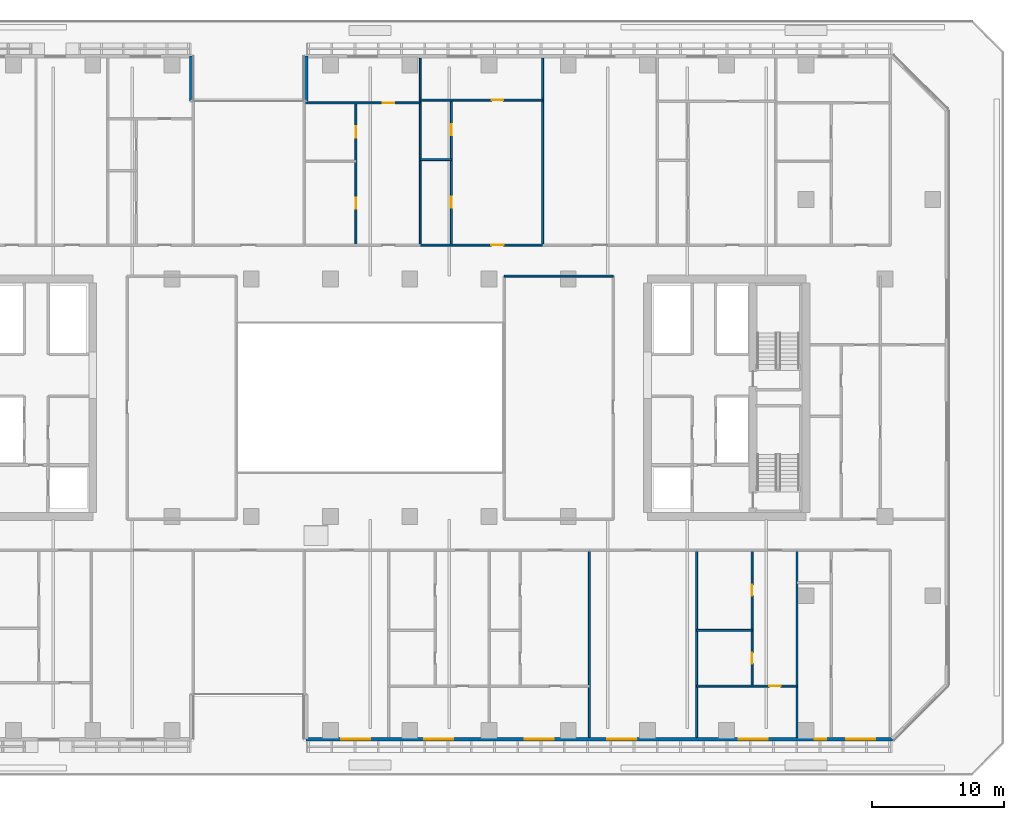
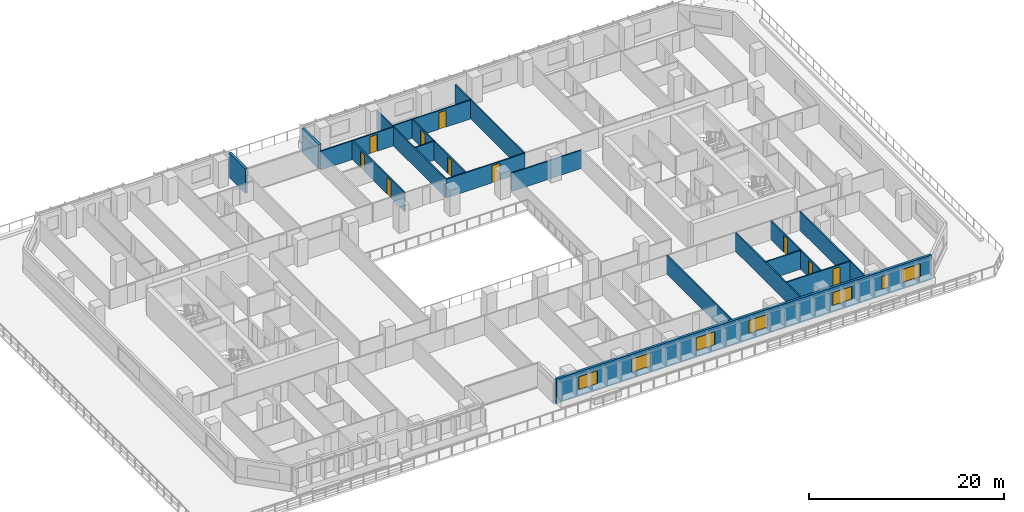
# One storey, part 9 of 23: 18 walls, 10 doors, 7 windows, 17 openings.
"""IFC4 building model written with IfcOpenShell, lengths in metres."""

from ifc_helpers import new_model, si_unit, direction, frame, frame_2d, origin, place, context, subcontext, project, spatial, rectangle, extrude, material, layer, layer_set, type_object, element, fill, save


model = new_model("IFC4")

# Units and contexts
model_context = context("Model", 3, precision=1e-05, world=origin(), true_north=direction((0.0, 1.0)))
body_context = subcontext(model_context, "Body", "Model", "MODEL_VIEW")
ifc_project = project(units=[si_unit("LENGTHUNIT", "METRE"), si_unit("AREAUNIT", "SQUARE_METRE"), si_unit("VOLUMEUNIT", "CUBIC_METRE"), si_unit("PLANEANGLEUNIT", "RADIAN"), si_unit("MASSUNIT", "GRAM", prefix="KILO")], contexts=[model_context])

# Site, building, storey
site_placement = place(None, origin())
site = spatial("IfcSite", under=ifc_project, at=site_placement, CompositionType="ELEMENT")
building_placement = place(site_placement, origin())
building = spatial("IfcBuilding", under=site, at=building_placement, Name="Tanjung Sevakor Pilgrim Tower", CompositionType="ELEMENT")
storey_placement = place(building_placement, frame((0.0, 0.0, 29.0400390625)))
storey = spatial("IfcBuildingStorey", under=building, at=storey_placement, Name="L07", CompositionType="ELEMENT", Elevation=29.0400390625)

# Walls
ifc_material_1 = material(Name="Concrete C40/50", Category="concrete")
ifc_layer_1 = layer(ifc_material_1, 0.14990234375)
ifc_layer_set_1 = layer_set([ifc_layer_1], Name="WT-COMP-150")
wall_type_1 = type_object("IfcWallType", Name="WT-COMP-150", PredefinedType="SOLIDWALL", material=ifc_layer_set_1)
wall_1_placement = place(storey_placement, frame((67.14990234375, 42.800048828125, 0.0), z_axis=(0.0, 0.0, 1.0), x_axis=(1.0, 0.0, 0.0)))
element("IfcWall", 1, at=wall_1_placement, inside=storey, type_object=wall_type_1, Name="L07 Partition IW-L07-026", PredefinedType="SOLIDWALL", context=body_context, shape_type="SweptSolid", body=[
    extrude(rectangle(XDim=8.25, YDim=0.14990234375, at=frame_2d((4.125, 0.0))), origin(), (0.0, 0.0, 1.0), 2.295166015625),
])
for number, where, z_axis, x_axis, name in (
    (2, (73.60498046875, 7.8798828125, 0.0), (0.0, 0.0, 1.0), (0.0, 1.0, 0.0), "L07 Partition IW-L07-062"),
    (3, (81.727294921875, 7.8798828125, 0.0), (0.0, 0.0, 1.0), (0.0, 1.0, 0.0), "L07 Partition IW-L07-067"),
    (4, (89.32568359375, 7.8798828125, 0.0), (0.0, 0.0, 1.0), (0.0, 1.0, 0.0), "L07 Partition IW-L07-069"),
    (5, (60.79638671875, 45.14990234375, 0.0), (0.0, 0.0, 1.0), (0.0, 1.0, 0.0), "L07 Partition IW-L07-091"),
    (6, (70.0712890625, 45.14990234375, 0.0), (0.0, 0.0, 1.0), (0.0, 1.0, 0.0), "L07 Partition IW-L07-096"),
):
    element("IfcWall", number, at=place(storey_placement, frame(where, z_axis=z_axis, x_axis=x_axis)), inside=storey, type_object=wall_type_1, Name=name, PredefinedType="SOLIDWALL", context=body_context, shape_type="SweptSolid", body=[
        extrude(rectangle(XDim=14.170166015625, YDim=0.14990234375, at=frame_2d((7.0849609375, 0.0))), origin(), (0.0, 0.0, 1.0), 2.35009765625),
    ])

# Wall, opening, door
wall_2_placement = place(storey_placement, frame((60.79638671875, 45.14990234375, 0.0), z_axis=(0.0, 0.0, 1.0), x_axis=(1.0, 0.0, 0.0)))
wall_2 = element("IfcWall", 7, at=wall_2_placement, inside=storey, type_object=wall_type_1, Name="L07 Partition IW-L07-100", PredefinedType="SOLIDWALL", context=body_context, shape_type="SweptSolid", body=[
    extrude(rectangle(XDim=9.27490234375, YDim=0.14990234375, at=frame_2d((4.637451171875, 0.0))), origin(), (0.0, 0.0, 1.0), 2.35009765625),
])
opening_1_placement = place(wall_2_placement, frame((5.37744140625, 0.0, 0.0)))
opening_1 = element("IfcOpeningElement", 8, at=opening_1_placement, cuts=wall_2, Name="Opening ID-FD2", PredefinedType="OPENING", context=body_context, shape_type="SweptSolid", body=[
    extrude(rectangle(XDim=0.949951171875, YDim=2.14990234375, at=frame_2d((0.47509765625, 1.074951171875))), frame((0.0, 0.0849609375, 0.0), z_axis=(0.0, -1.0, 0.0), x_axis=(1.0, 0.0, 0.0)), (0.0, 0.0, 1.0), 0.169921875),
])
ifc_material_2 = material(Name="Fire-Rated Timber", Category="wood")
door_type_1 = type_object("IfcDoorType", Name="DT-FIRE-950", OperationType="NOTDEFINED", PredefinedType="DOOR", material=ifc_material_2)
door_1_placement = place(opening_1_placement, origin())
door_1 = element("IfcDoor", 9, at=door_1_placement, inside=storey, type_object=door_type_1, Name="Residence Entrance", OperationType="SINGLE_SWING_LEFT", OverallHeight=2.14990234375, OverallWidth=0.949951171875, PredefinedType="DOOR", context=body_context, shape_type="SweptSolid", body=[
    extrude(rectangle(XDim=0.949951171875, YDim=2.14990234375, at=frame_2d((0.47509765625, 1.074951171875))), frame((0.0, 0.02490234375, 0.0), z_axis=(0.0, -1.0, 0.0), x_axis=(1.0, 0.0, 0.0)), (0.0, 0.0, 1.0), 0.050048828125),
])
fill(opening_1, door_1)

# Wall, openings, windows
ifc_material_3 = material(Name="Precast concrete C45/55", Category="concrete")
ifc_layer_2 = layer(ifc_material_3, 0.280029296875)
ifc_layer_set_2 = layer_set([ifc_layer_2], Name="WT-EW-STN2")
wall_type_2 = type_object("IfcWallType", Name="WT-EW-STN2", PredefinedType="SOLIDWALL", material=ifc_layer_set_2)
wall_3_placement = place(storey_placement, frame((52.139892578125, 7.739990234375, 0.0), z_axis=(0.0, 0.0, 1.0), x_axis=(1.0, 0.0, 0.0)))
wall_3 = element("IfcWall", 10, at=wall_3_placement, inside=storey, type_object=wall_type_2, Name="L07 MAIN Exterior Wall 5", PredefinedType="SOLIDWALL", context=body_context, shape_type="SweptSolid", body=[
    extrude(rectangle(XDim=44.402099609375, YDim=0.280029296875, at=frame_2d((22.201171875, 0.0))), origin(), (0.0, 0.0, 1.0), 3.080078125),
])
opening_2_placement = place(wall_3_placement, frame((2.664306640625, 0.0, 0.780029296875)))
opening_2 = element("IfcOpeningElement", 11, at=opening_2_placement, cuts=wall_3, Name="Opening WN-Z1-1660", PredefinedType="OPENING", context=body_context, shape_type="SweptSolid", body=[
    extrude(rectangle(XDim=2.199951171875, YDim=1.659912109375, at=frame_2d((1.10009765625, 0.830078125))), frame((0.0, 0.14990234375, 0.0), z_axis=(0.0, -1.0, 0.0), x_axis=(1.0, 0.0, 0.0)), (0.0, 0.0, 1.0), 0.300048828125),
])
opening_3_placement = place(wall_3_placement, frame((8.96728515625, 0.0, 0.780029296875)))
opening_3 = element("IfcOpeningElement", 12, at=opening_3_placement, cuts=wall_3, Name="Opening WN-Z1-1660", PredefinedType="OPENING", context=body_context, shape_type="SweptSolid", body=[
    extrude(rectangle(XDim=2.199951171875, YDim=1.659912109375, at=frame_2d((1.10009765625, 0.830078125))), frame((0.0, 0.14990234375, 0.0), z_axis=(0.0, -1.0, 0.0), x_axis=(1.0, 0.0, 0.0)), (0.0, 0.0, 1.0), 0.300048828125),
])
opening_4_placement = place(wall_3_placement, frame((16.56591796875, 0.0, 0.780029296875)))
opening_4 = element("IfcOpeningElement", 13, at=opening_4_placement, cuts=wall_3, Name="Opening WN-Z1-1660", PredefinedType="OPENING", context=body_context, shape_type="SweptSolid", body=[
    extrude(rectangle(XDim=2.199951171875, YDim=1.659912109375, at=frame_2d((1.10009765625, 0.830078125))), frame((0.0, 0.14990234375, 0.0), z_axis=(0.0, -1.0, 0.0), x_axis=(1.0, 0.0, 0.0)), (0.0, 0.0, 1.0), 0.300048828125),
])
opening_5_placement = place(wall_3_placement, frame((22.826171875, 0.0, 0.780029296875)))
opening_5 = element("IfcOpeningElement", 14, at=opening_5_placement, cuts=wall_3, Name="Opening WN-Z1-1660", PredefinedType="OPENING", context=body_context, shape_type="SweptSolid", body=[
    extrude(rectangle(XDim=2.199951171875, YDim=1.659912109375, at=frame_2d((1.10009765625, 0.830078125))), frame((0.0, 0.14990234375, 0.0), z_axis=(0.0, -1.0, 0.0), x_axis=(1.0, 0.0, 0.0)), (0.0, 0.0, 1.0), 0.300048828125),
])
opening_6_placement = place(wall_3_placement, frame((32.766357421875, 0.0, 0.780029296875)))
opening_6 = element("IfcOpeningElement", 15, at=opening_6_placement, cuts=wall_3, Name="Opening WN-Z1-1660", PredefinedType="OPENING", context=body_context, shape_type="SweptSolid", body=[
    extrude(rectangle(XDim=2.199951171875, YDim=1.659912109375, at=frame_2d((1.10009765625, 0.830078125))), frame((0.0, 0.14990234375, 0.0), z_axis=(0.0, -1.0, 0.0), x_axis=(1.0, 0.0, 0.0)), (0.0, 0.0, 1.0), 0.300048828125),
])
opening_7_placement = place(wall_3_placement, frame((38.5478515625, 0.0, 0.780029296875)))
opening_7 = element("IfcOpeningElement", 16, at=opening_7_placement, cuts=wall_3, Name="Opening WN-SLM", PredefinedType="OPENING", context=body_context, shape_type="SweptSolid", body=[
    extrude(rectangle(XDim=0.85009765625, YDim=1.64990234375, at=frame_2d((0.425048828125, 0.824951171875))), frame((0.0, 0.14990234375, 0.0), z_axis=(0.0, -1.0, 0.0), x_axis=(1.0, 0.0, 0.0)), (0.0, 0.0, 1.0), 0.300048828125),
])
opening_8_placement = place(wall_3_placement, frame((40.909912109375, 0.0, 0.780029296875)))
opening_8 = element("IfcOpeningElement", 17, at=opening_8_placement, cuts=wall_3, Name="Opening WN-Z1-1660", PredefinedType="OPENING", context=body_context, shape_type="SweptSolid", body=[
    extrude(rectangle(XDim=2.199951171875, YDim=1.659912109375, at=frame_2d((1.10009765625, 0.830078125))), frame((0.0, 0.14990234375, 0.0), z_axis=(0.0, -1.0, 0.0), x_axis=(1.0, 0.0, 0.0)), (0.0, 0.0, 1.0), 0.300048828125),
])
ifc_material_4 = material(Name="Thermally Broken Aluminium and Low-E Glass", Category="aluminium")
window_type_1 = type_object("IfcWindowType", Name="WTYP-WN-SLM", PartitioningType="SINGLE_PANEL", PredefinedType="WINDOW", material=ifc_material_4)
window_1_placement = place(opening_7_placement, origin())
window_1 = element("IfcWindow", 18, at=window_1_placement, inside=storey, type_object=window_type_1, Name="L07 Facade Window 06", OverallHeight=1.64990234375, OverallWidth=0.85009765625, PartitioningType="SINGLE_PANEL", PredefinedType="WINDOW", context=body_context, shape_type="SweptSolid", body=[
    extrude(rectangle(XDim=0.85009765625, YDim=1.64990234375, at=frame_2d((0.425048828125, 0.824951171875))), frame((0.0, 0.030029296875, 0.0), z_axis=(0.0, -1.0, 0.0), x_axis=(1.0, 0.0, 0.0)), (0.0, 0.0, 1.0), 0.06005859375),
])
fill(opening_7, window_1)
ifc_material_5 = material(Name="Thermally Broken Aluminium and Low-E Glass", Category="aluminium")
window_type_2 = type_object("IfcWindowType", Name="WTYP-WN-Z1-1660", PartitioningType="DOUBLE_PANEL_VERTICAL", PredefinedType="WINDOW", material=ifc_material_5)
window_2_placement = place(opening_2_placement, origin())
window_2 = element("IfcWindow", 19, at=window_2_placement, inside=storey, type_object=window_type_2, Name="L07 Facade Window 01", OverallHeight=1.659912109375, OverallWidth=2.199951171875, PartitioningType="SINGLE_PANEL", PredefinedType="WINDOW", context=body_context, shape_type="SweptSolid", body=[
    extrude(rectangle(XDim=2.199951171875, YDim=1.659912109375, at=frame_2d((1.10009765625, 0.830078125))), frame((0.0, 0.030029296875, 0.0), z_axis=(0.0, -1.0, 0.0), x_axis=(1.0, 0.0, 0.0)), (0.0, 0.0, 1.0), 0.06005859375),
])
fill(opening_2, window_2)
window_3_placement = place(opening_3_placement, origin())
window_3 = element("IfcWindow", 20, at=window_3_placement, inside=storey, type_object=window_type_2, Name="L07 Facade Window 02", OverallHeight=1.659912109375, OverallWidth=2.199951171875, PartitioningType="SINGLE_PANEL", PredefinedType="WINDOW", context=body_context, shape_type="SweptSolid", body=[
    extrude(rectangle(XDim=2.199951171875, YDim=1.659912109375, at=frame_2d((1.10009765625, 0.830078125))), frame((0.0, 0.030029296875, 0.0), z_axis=(0.0, -1.0, 0.0), x_axis=(1.0, 0.0, 0.0)), (0.0, 0.0, 1.0), 0.06005859375),
])
fill(opening_3, window_3)
window_4_placement = place(opening_4_placement, origin())
window_4 = element("IfcWindow", 21, at=window_4_placement, inside=storey, type_object=window_type_2, Name="L07 Facade Window 03", OverallHeight=1.659912109375, OverallWidth=2.199951171875, PartitioningType="SINGLE_PANEL", PredefinedType="WINDOW", context=body_context, shape_type="SweptSolid", body=[
    extrude(rectangle(XDim=2.199951171875, YDim=1.659912109375, at=frame_2d((1.10009765625, 0.830078125))), frame((0.0, 0.030029296875, 0.0), z_axis=(0.0, -1.0, 0.0), x_axis=(1.0, 0.0, 0.0)), (0.0, 0.0, 1.0), 0.06005859375),
])
fill(opening_4, window_4)
window_5_placement = place(opening_5_placement, origin())
window_5 = element("IfcWindow", 22, at=window_5_placement, inside=storey, type_object=window_type_2, Name="L07 Facade Window 04", OverallHeight=1.659912109375, OverallWidth=2.199951171875, PartitioningType="SINGLE_PANEL", PredefinedType="WINDOW", context=body_context, shape_type="SweptSolid", body=[
    extrude(rectangle(XDim=2.199951171875, YDim=1.659912109375, at=frame_2d((1.10009765625, 0.830078125))), frame((0.0, 0.030029296875, 0.0), z_axis=(0.0, -1.0, 0.0), x_axis=(1.0, 0.0, 0.0)), (0.0, 0.0, 1.0), 0.06005859375),
])
fill(opening_5, window_5)
window_6_placement = place(opening_6_placement, origin())
window_6 = element("IfcWindow", 23, at=window_6_placement, inside=storey, type_object=window_type_2, Name="L07 Facade Window 05", OverallHeight=1.659912109375, OverallWidth=2.199951171875, PartitioningType="SINGLE_PANEL", PredefinedType="WINDOW", context=body_context, shape_type="SweptSolid", body=[
    extrude(rectangle(XDim=2.199951171875, YDim=1.659912109375, at=frame_2d((1.10009765625, 0.830078125))), frame((0.0, 0.030029296875, 0.0), z_axis=(0.0, -1.0, 0.0), x_axis=(1.0, 0.0, 0.0)), (0.0, 0.0, 1.0), 0.06005859375),
])
fill(opening_6, window_6)
window_7_placement = place(opening_8_placement, origin())
window_7 = element("IfcWindow", 24, at=window_7_placement, inside=storey, type_object=window_type_2, Name="L07 Facade Window 07", OverallHeight=1.659912109375, OverallWidth=2.199951171875, PartitioningType="SINGLE_PANEL", PredefinedType="WINDOW", context=body_context, shape_type="SweptSolid", body=[
    extrude(rectangle(XDim=2.199951171875, YDim=1.659912109375, at=frame_2d((1.10009765625, 0.830078125))), frame((0.0, 0.030029296875, 0.0), z_axis=(0.0, -1.0, 0.0), x_axis=(1.0, 0.0, 0.0)), (0.0, 0.0, 1.0), 0.06005859375),
])
fill(opening_8, window_7)

# Walls
for number, where, z_axis, x_axis, name in (
    (25, (52.139892578125, 59.4599609375, 0.0), (0.0, 0.0, 1.0), (0.0, -1.0, 0.0), "L07 MAIN Exterior Wall 10"),
    (26, (43.4599609375, 56.06005859375, 0.0), (0.0, 0.0, 1.0), (0.0, 1.0, 0.0), "L07 MAIN Exterior Wall 12"),
):
    element("IfcWall", number, at=place(storey_placement, frame(where, z_axis=z_axis, x_axis=x_axis)), inside=storey, type_object=wall_type_2, Name=name, PredefinedType="SOLIDWALL", context=body_context, shape_type="SweptSolid", body=[
        extrude(rectangle(XDim=3.39990234375, YDim=0.280029296875, at=frame_2d((1.699951171875, 0.0))), origin(), (0.0, 0.0, 1.0), 3.080078125),
    ])
ifc_material_6 = material(Name="Gypsum Board Partition", Category="gypsum board")
ifc_layer_3 = layer(ifc_material_6, 0.14990234375)
ifc_layer_set_3 = layer_set([ifc_layer_3], Name="WT-PART-150")
wall_type_3 = type_object("IfcWallType", Name="WT-PART-150", PredefinedType="PARTITIONING", material=ifc_layer_set_3)
wall_4_placement = place(storey_placement, frame((81.727294921875, 15.980224609375, 0.0), z_axis=(0.0, 0.0, 1.0), x_axis=(1.0, 0.0, 0.0)))
element("IfcWall", 27, at=wall_4_placement, inside=storey, type_object=wall_type_3, Name="L07 Partition IW-L07-070", PredefinedType="PARTITIONING", context=body_context, shape_type="SweptSolid", body=[
    extrude(rectangle(XDim=4.192626953125, YDim=0.14990234375, at=frame_2d((2.09619140625, 0.0))), origin(), (0.0, 0.0, 1.0), 2.35009765625),
])

# Wall, openings, doors
wall_5_placement = place(storey_placement, frame((85.919921875, 11.762451171875, 0.0), z_axis=(0.0, 0.0, 1.0), x_axis=(0.0, 1.0, 0.0)))
wall_5 = element("IfcWall", 28, at=wall_5_placement, inside=storey, type_object=wall_type_3, Name="L07 Partition IW-L07-071", PredefinedType="PARTITIONING", context=body_context, shape_type="SweptSolid", body=[
    extrude(rectangle(XDim=10.28759765625, YDim=0.14990234375, at=frame_2d((5.143798828125, 0.0))), origin(), (0.0, 0.0, 1.0), 2.35009765625),
])
opening_9_placement = place(wall_5_placement, frame((1.68408203125, 0.0, 0.0)))
opening_9 = element("IfcOpeningElement", 29, at=opening_9_placement, cuts=wall_5, Name="Opening ID-WC1", PredefinedType="OPENING", context=body_context, shape_type="SweptSolid", body=[
    extrude(rectangle(XDim=0.85009765625, YDim=2.10009765625, at=frame_2d((0.425048828125, 1.050048828125))), frame((0.0, 0.0849609375, 0.0), z_axis=(0.0, -1.0, 0.0), x_axis=(1.0, 0.0, 0.0)), (0.0, 0.0, 1.0), 0.169921875),
])
opening_10_placement = place(wall_5_placement, frame((6.827880859375, 0.0, 0.0)))
opening_10 = element("IfcOpeningElement", 30, at=opening_10_placement, cuts=wall_5, Name="Opening ID-WC1", PredefinedType="OPENING", context=body_context, shape_type="SweptSolid", body=[
    extrude(rectangle(XDim=0.85009765625, YDim=2.10009765625, at=frame_2d((0.425048828125, 1.050048828125))), frame((0.0, 0.0849609375, 0.0), z_axis=(0.0, -1.0, 0.0), x_axis=(1.0, 0.0, 0.0)), (0.0, 0.0, 1.0), 0.169921875),
])
ifc_material_7 = material(Name="Moisture-Resistant Timber", Category="wood")
door_type_2 = type_object("IfcDoorType", Name="DT-INT-850", OperationType="NOTDEFINED", PredefinedType="DOOR", material=ifc_material_7)
door_2_placement = place(opening_9_placement, origin())
door_2 = element("IfcDoor", 31, at=door_2_placement, inside=storey, type_object=door_type_2, Name="Residence Bathroom Door", OperationType="SINGLE_SWING_RIGHT", OverallHeight=2.10009765625, OverallWidth=0.85009765625, PredefinedType="DOOR", context=body_context, shape_type="SweptSolid", body=[
    extrude(rectangle(XDim=0.85009765625, YDim=2.10009765625, at=frame_2d((0.425048828125, 1.050048828125))), frame((0.0, 0.02490234375, 0.0), z_axis=(0.0, -1.0, 0.0), x_axis=(1.0, 0.0, 0.0)), (0.0, 0.0, 1.0), 0.050048828125),
])
fill(opening_9, door_2)
door_3_placement = place(opening_10_placement, origin())
door_3 = element("IfcDoor", 32, at=door_3_placement, inside=storey, type_object=door_type_2, Name="Residence Kitchenette Door", OperationType="SINGLE_SWING_LEFT", OverallHeight=2.10009765625, OverallWidth=0.85009765625, PredefinedType="DOOR", context=body_context, shape_type="SweptSolid", body=[
    extrude(rectangle(XDim=0.85009765625, YDim=2.10009765625, at=frame_2d((0.425048828125, 1.050048828125))), frame((0.0, 0.02490234375, 0.0), z_axis=(0.0, -1.0, 0.0), x_axis=(1.0, 0.0, 0.0)), (0.0, 0.0, 1.0), 0.050048828125),
])
fill(opening_10, door_3)

# Wall, opening, door
wall_6_placement = place(storey_placement, frame((81.727294921875, 11.762451171875, 0.0), z_axis=(0.0, 0.0, 1.0), x_axis=(1.0, 0.0, 0.0)))
wall_6 = element("IfcWall", 33, at=wall_6_placement, inside=storey, type_object=wall_type_3, Name="L07 Partition IW-L07-072", PredefinedType="PARTITIONING", context=body_context, shape_type="SweptSolid", body=[
    extrude(rectangle(XDim=7.598388671875, YDim=0.14990234375, at=frame_2d((3.79931640625, 0.0))), origin(), (0.0, 0.0, 1.0), 2.35009765625),
])
opening_11_placement = place(wall_6_placement, frame((5.510498046875, 0.0, 0.0)))
opening_11 = element("IfcOpeningElement", 34, at=opening_11_placement, cuts=wall_6, Name="Opening ID-WC1", PredefinedType="OPENING", context=body_context, shape_type="SweptSolid", body=[
    extrude(rectangle(XDim=0.85009765625, YDim=2.10009765625, at=frame_2d((0.425048828125, 1.050048828125))), frame((0.0, 0.0849609375, 0.0), z_axis=(0.0, -1.0, 0.0), x_axis=(1.0, 0.0, 0.0)), (0.0, 0.0, 1.0), 0.169921875),
])
door_4_placement = place(opening_11_placement, origin())
door_4 = element("IfcDoor", 35, at=door_4_placement, inside=storey, type_object=door_type_2, Name="Residence Bedroom Door", OperationType="SINGLE_SWING_RIGHT", OverallHeight=2.10009765625, OverallWidth=0.85009765625, PredefinedType="DOOR", context=body_context, shape_type="SweptSolid", body=[
    extrude(rectangle(XDim=0.85009765625, YDim=2.10009765625, at=frame_2d((0.425048828125, 1.050048828125))), frame((0.0, 0.02490234375, 0.0), z_axis=(0.0, -1.0, 0.0), x_axis=(1.0, 0.0, 0.0)), (0.0, 0.0, 1.0), 0.050048828125),
])
fill(opening_11, door_4)

# Wall, openings, doors
wall_7_placement = place(storey_placement, frame((55.919921875, 45.14990234375, 0.0), z_axis=(0.0, 0.0, 1.0), x_axis=(0.0, 1.0, 0.0)))
wall_7 = element("IfcWall", 36, at=wall_7_placement, inside=storey, type_object=wall_type_3, Name="L07 Partition IW-L07-093", PredefinedType="PARTITIONING", context=body_context, shape_type="SweptSolid", body=[
    extrude(rectangle(XDim=10.77001953125, YDim=0.14990234375, at=frame_2d((5.385009765625, 0.0))), origin(), (0.0, 0.0, 1.0), 2.35009765625),
])
opening_12_placement = place(wall_7_placement, frame((2.752197265625, 0.0, 0.0)))
opening_12 = element("IfcOpeningElement", 37, at=opening_12_placement, cuts=wall_7, Name="Opening ID-WC1", PredefinedType="OPENING", context=body_context, shape_type="SweptSolid", body=[
    extrude(rectangle(XDim=0.85009765625, YDim=2.10009765625, at=frame_2d((0.425048828125, 1.050048828125))), frame((0.0, 0.0849609375, 0.0), z_axis=(0.0, -1.0, 0.0), x_axis=(1.0, 0.0, 0.0)), (0.0, 0.0, 1.0), 0.169921875),
])
opening_13_placement = place(wall_7_placement, frame((8.13720703125, 0.0, 0.0)))
opening_13 = element("IfcOpeningElement", 38, at=opening_13_placement, cuts=wall_7, Name="Opening ID-WC1", PredefinedType="OPENING", context=body_context, shape_type="SweptSolid", body=[
    extrude(rectangle(XDim=0.85009765625, YDim=2.10009765625, at=frame_2d((0.425048828125, 1.050048828125))), frame((0.0, 0.0849609375, 0.0), z_axis=(0.0, -1.0, 0.0), x_axis=(1.0, 0.0, 0.0)), (0.0, 0.0, 1.0), 0.169921875),
])
door_5_placement = place(opening_12_placement, origin())
door_5 = element("IfcDoor", 39, at=door_5_placement, inside=storey, type_object=door_type_2, Name="Residence Kitchenette Door", OperationType="SINGLE_SWING_RIGHT", OverallHeight=2.10009765625, OverallWidth=0.85009765625, PredefinedType="DOOR", context=body_context, shape_type="SweptSolid", body=[
    extrude(rectangle(XDim=0.85009765625, YDim=2.10009765625, at=frame_2d((0.425048828125, 1.050048828125))), frame((0.0, 0.02490234375, 0.0), z_axis=(0.0, -1.0, 0.0), x_axis=(1.0, 0.0, 0.0)), (0.0, 0.0, 1.0), 0.050048828125),
])
fill(opening_12, door_5)
door_6_placement = place(opening_13_placement, origin())
door_6 = element("IfcDoor", 40, at=door_6_placement, inside=storey, type_object=door_type_2, Name="Residence Bathroom Door", OperationType="SINGLE_SWING_LEFT", OverallHeight=2.10009765625, OverallWidth=0.85009765625, PredefinedType="DOOR", context=body_context, shape_type="SweptSolid", body=[
    extrude(rectangle(XDim=0.85009765625, YDim=2.10009765625, at=frame_2d((0.425048828125, 1.050048828125))), frame((0.0, 0.02490234375, 0.0), z_axis=(0.0, -1.0, 0.0), x_axis=(1.0, 0.0, 0.0)), (0.0, 0.0, 1.0), 0.050048828125),
])
fill(opening_13, door_6)

# Wall, opening, door
wall_8_placement = place(storey_placement, frame((52.1201171875, 55.919921875, 0.0), z_axis=(0.0, 0.0, 1.0), x_axis=(1.0, 0.0, 0.0)))
wall_8 = element("IfcWall", 41, at=wall_8_placement, inside=storey, type_object=wall_type_3, Name="L07 Partition IW-L07-094", PredefinedType="PARTITIONING", context=body_context, shape_type="SweptSolid", body=[
    extrude(rectangle(XDim=8.67626953125, YDim=0.14990234375, at=frame_2d((4.338134765625, 0.0))), origin(), (0.0, 0.0, 1.0), 2.35009765625),
])
opening_14_placement = place(wall_8_placement, frame((5.853271484375, 0.0, 0.0)))
opening_14 = element("IfcOpeningElement", 42, at=opening_14_placement, cuts=wall_8, Name="Opening ID-WC1", PredefinedType="OPENING", context=body_context, shape_type="SweptSolid", body=[
    extrude(rectangle(XDim=0.85009765625, YDim=2.10009765625, at=frame_2d((0.425048828125, 1.050048828125))), frame((0.0, 0.0849609375, 0.0), z_axis=(0.0, -1.0, 0.0), x_axis=(1.0, 0.0, 0.0)), (0.0, 0.0, 1.0), 0.169921875),
])
door_7_placement = place(opening_14_placement, origin())
door_7 = element("IfcDoor", 43, at=door_7_placement, inside=storey, type_object=door_type_2, Name="Residence Bedroom Door", OperationType="SINGLE_SWING_RIGHT", OverallHeight=2.10009765625, OverallWidth=0.85009765625, PredefinedType="DOOR", context=body_context, shape_type="SweptSolid", body=[
    extrude(rectangle(XDim=0.85009765625, YDim=2.10009765625, at=frame_2d((0.425048828125, 1.050048828125))), frame((0.0, 0.02490234375, 0.0), z_axis=(0.0, -1.0, 0.0), x_axis=(1.0, 0.0, 0.0)), (0.0, 0.0, 1.0), 0.050048828125),
])
fill(opening_14, door_7)

# Wall
wall_9_placement = place(storey_placement, frame((60.79638671875, 51.6337890625, 0.0), z_axis=(0.0, 0.0, 1.0), x_axis=(1.0, 0.0, 0.0)))
element("IfcWall", 44, at=wall_9_placement, inside=storey, type_object=wall_type_3, Name="L07 Partition IW-L07-097", PredefinedType="PARTITIONING", context=body_context, shape_type="SweptSolid", body=[
    extrude(rectangle(XDim=2.35009765625, YDim=0.14990234375, at=frame_2d((1.175048828125, 0.0))), origin(), (0.0, 0.0, 1.0), 2.35009765625),
])

# Wall, openings, doors
wall_10_placement = place(storey_placement, frame((63.146484375, 45.14990234375, 0.0), z_axis=(0.0, 0.0, 1.0), x_axis=(0.0, 1.0, 0.0)))
wall_10 = element("IfcWall", 45, at=wall_10_placement, inside=storey, type_object=wall_type_3, Name="L07 Partition IW-L07-098", PredefinedType="PARTITIONING", context=body_context, shape_type="SweptSolid", body=[
    extrude(rectangle(XDim=10.989501953125, YDim=0.14990234375, at=frame_2d((5.49462890625, 0.0))), origin(), (0.0, 0.0, 1.0), 2.35009765625),
])
opening_15_placement = place(wall_10_placement, frame((2.81689453125, 0.0, 0.0)))
opening_15 = element("IfcOpeningElement", 46, at=opening_15_placement, cuts=wall_10, Name="Opening ID-WC1", PredefinedType="OPENING", context=body_context, shape_type="SweptSolid", body=[
    extrude(rectangle(XDim=0.85009765625, YDim=2.10009765625, at=frame_2d((0.425048828125, 1.050048828125))), frame((0.0, 0.0849609375, 0.0), z_axis=(0.0, -1.0, 0.0), x_axis=(1.0, 0.0, 0.0)), (0.0, 0.0, 1.0), 0.169921875),
])
opening_16_placement = place(wall_10_placement, frame((8.3115234375, 0.0, 0.0)))
opening_16 = element("IfcOpeningElement", 47, at=opening_16_placement, cuts=wall_10, Name="Opening ID-WC1", PredefinedType="OPENING", context=body_context, shape_type="SweptSolid", body=[
    extrude(rectangle(XDim=0.85009765625, YDim=2.10009765625, at=frame_2d((0.425048828125, 1.050048828125))), frame((0.0, 0.0849609375, 0.0), z_axis=(0.0, -1.0, 0.0), x_axis=(1.0, 0.0, 0.0)), (0.0, 0.0, 1.0), 0.169921875),
])
door_8_placement = place(opening_15_placement, origin())
door_8 = element("IfcDoor", 48, at=door_8_placement, inside=storey, type_object=door_type_2, Name="Residence Kitchenette Door", OperationType="SINGLE_SWING_RIGHT", OverallHeight=2.10009765625, OverallWidth=0.85009765625, PredefinedType="DOOR", context=body_context, shape_type="SweptSolid", body=[
    extrude(rectangle(XDim=0.85009765625, YDim=2.10009765625, at=frame_2d((0.425048828125, 1.050048828125))), frame((0.0, 0.02490234375, 0.0), z_axis=(0.0, -1.0, 0.0), x_axis=(1.0, 0.0, 0.0)), (0.0, 0.0, 1.0), 0.050048828125),
])
fill(opening_15, door_8)
door_9_placement = place(opening_16_placement, origin())
door_9 = element("IfcDoor", 49, at=door_9_placement, inside=storey, type_object=door_type_2, Name="Residence Bathroom Door", OperationType="SINGLE_SWING_LEFT", OverallHeight=2.10009765625, OverallWidth=0.85009765625, PredefinedType="DOOR", context=body_context, shape_type="SweptSolid", body=[
    extrude(rectangle(XDim=0.85009765625, YDim=2.10009765625, at=frame_2d((0.425048828125, 1.050048828125))), frame((0.0, 0.02490234375, 0.0), z_axis=(0.0, -1.0, 0.0), x_axis=(1.0, 0.0, 0.0)), (0.0, 0.0, 1.0), 0.050048828125),
])
fill(opening_16, door_9)

# Wall, opening, door
wall_11_placement = place(storey_placement, frame((60.79638671875, 56.139404296875, 0.0), z_axis=(0.0, 0.0, 1.0), x_axis=(1.0, 0.0, 0.0)))
wall_11 = element("IfcWall", 50, at=wall_11_placement, inside=storey, type_object=wall_type_3, Name="L07 Partition IW-L07-099", PredefinedType="PARTITIONING", context=body_context, shape_type="SweptSolid", body=[
    extrude(rectangle(XDim=9.27490234375, YDim=0.14990234375, at=frame_2d((4.637451171875, 0.0))), origin(), (0.0, 0.0, 1.0), 2.35009765625),
])
opening_17_placement = place(wall_11_placement, frame((5.427490234375, 0.0, 0.0)))
opening_17 = element("IfcOpeningElement", 51, at=opening_17_placement, cuts=wall_11, Name="Opening ID-WC1", PredefinedType="OPENING", context=body_context, shape_type="SweptSolid", body=[
    extrude(rectangle(XDim=0.85009765625, YDim=2.10009765625, at=frame_2d((0.425048828125, 1.050048828125))), frame((0.0, 0.0849609375, 0.0), z_axis=(0.0, -1.0, 0.0), x_axis=(1.0, 0.0, 0.0)), (0.0, 0.0, 1.0), 0.169921875),
])
door_10_placement = place(opening_17_placement, origin())
door_10 = element("IfcDoor", 52, at=door_10_placement, inside=storey, type_object=door_type_2, Name="Residence Bedroom Door", OperationType="SINGLE_SWING_RIGHT", OverallHeight=2.10009765625, OverallWidth=0.85009765625, PredefinedType="DOOR", context=body_context, shape_type="SweptSolid", body=[
    extrude(rectangle(XDim=0.85009765625, YDim=2.10009765625, at=frame_2d((0.425048828125, 1.050048828125))), frame((0.0, 0.02490234375, 0.0), z_axis=(0.0, -1.0, 0.0), x_axis=(1.0, 0.0, 0.0)), (0.0, 0.0, 1.0), 0.050048828125),
])
fill(opening_17, door_10)

save(model, "model.ifc")
